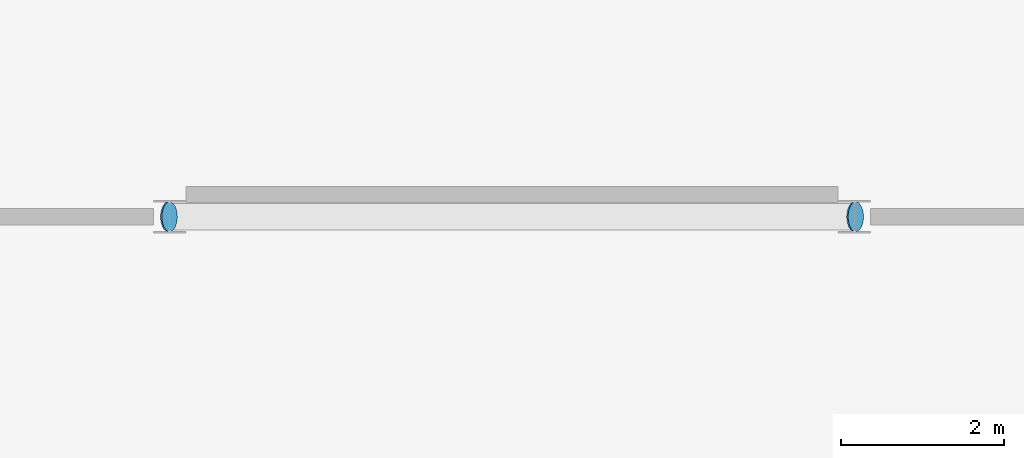
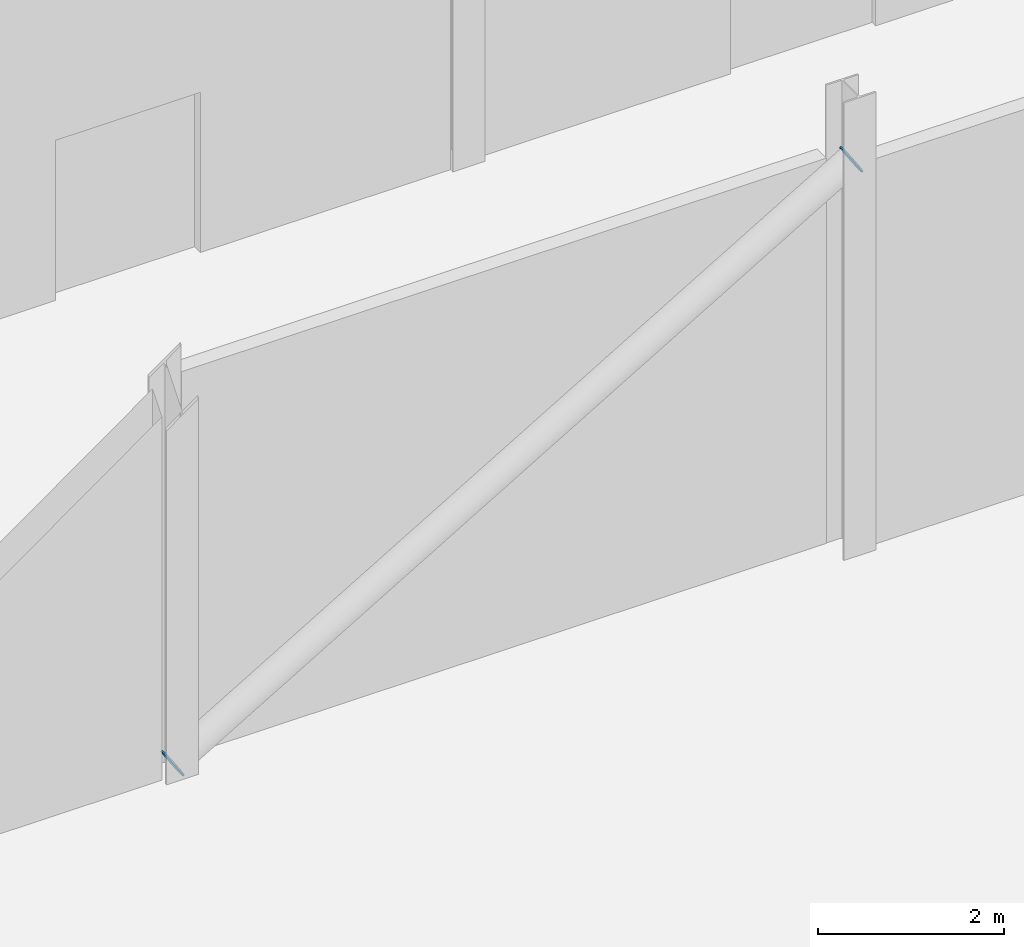
# One storey, part 82 of 108: 2 discrete accessories.
"""IFC4 building model written with IfcOpenShell, lengths in metres."""

from ifc_helpers import new_model, si_unit, direction, frame, origin, origin_2d, place, context, subcontext, project, spatial, circle, extrude, material, layer, layer_set, type_object, element, save


model = new_model("IFC4")

# Units and contexts
model_context = context("Model", 3, precision=1e-05, world=origin(), true_north=direction((0.0, 1.0)))
body_context = subcontext(model_context, "Body", "Model", "MODEL_VIEW")
ifc_project = project(units=[si_unit("LENGTHUNIT", "METRE"), si_unit("AREAUNIT", "SQUARE_METRE"), si_unit("VOLUMEUNIT", "CUBIC_METRE"), si_unit("PLANEANGLEUNIT", "RADIAN"), si_unit("MASSUNIT", "GRAM", prefix="KILO")], contexts=[model_context])

# Site, building, storey
site_placement = place(None, origin())
site = spatial("IfcSite", under=ifc_project, at=site_placement, CompositionType="ELEMENT")
building_placement = place(site_placement, origin())
building = spatial("IfcBuilding", under=site, at=building_placement, Name="Cresset Court Congress Hotel", CompositionType="ELEMENT")
storey_placement = place(building_placement, origin())
storey = spatial("IfcBuildingStorey", under=building, at=storey_placement, Name="L00", CompositionType="ELEMENT", Elevation=0.0)

# Discrete accessories
ifc_material = material(Name="Structural steel Q355B", Category="steel")
ifc_layer = layer(ifc_material, 0.02001953125)
ifc_layer_set = layer_set([ifc_layer], Name="Brace end gusset 325x20")
discrete_accessory_type = type_object("IfcDiscreteAccessoryType", Name="Brace end gusset 325x20", PredefinedType="BRACKET", material=ifc_layer_set)
for number, where, z_axis, x_axis, name in (
    (1, (109.199951171875, 8.39990234375, 0.10009765625), (-0.857492925713, 0.0, -0.514495755428), (0.0, -1.0, 0.0), "Brace end gusset L00 14-1"),
    (2, (117.60009765625, 8.39990234375, 5.06005859375), (0.857492925713, 0.0, 0.514495755428), (0.0, 1.0, 0.0), "Brace end gusset L00 14-2"),
):
    element("IfcDiscreteAccessory", number, at=place(storey_placement, frame(where, z_axis=z_axis, x_axis=x_axis)), inside=storey, type_object=discrete_accessory_type, Name=name, PredefinedType="BRACKET", context=body_context, shape_type="SweptSolid", body=[
        extrude(circle(Radius=0.1826171875, at=origin_2d()), origin(), (0.0, 0.0, 1.0), 0.02001953125),
    ])

save(model, "model.ifc")
